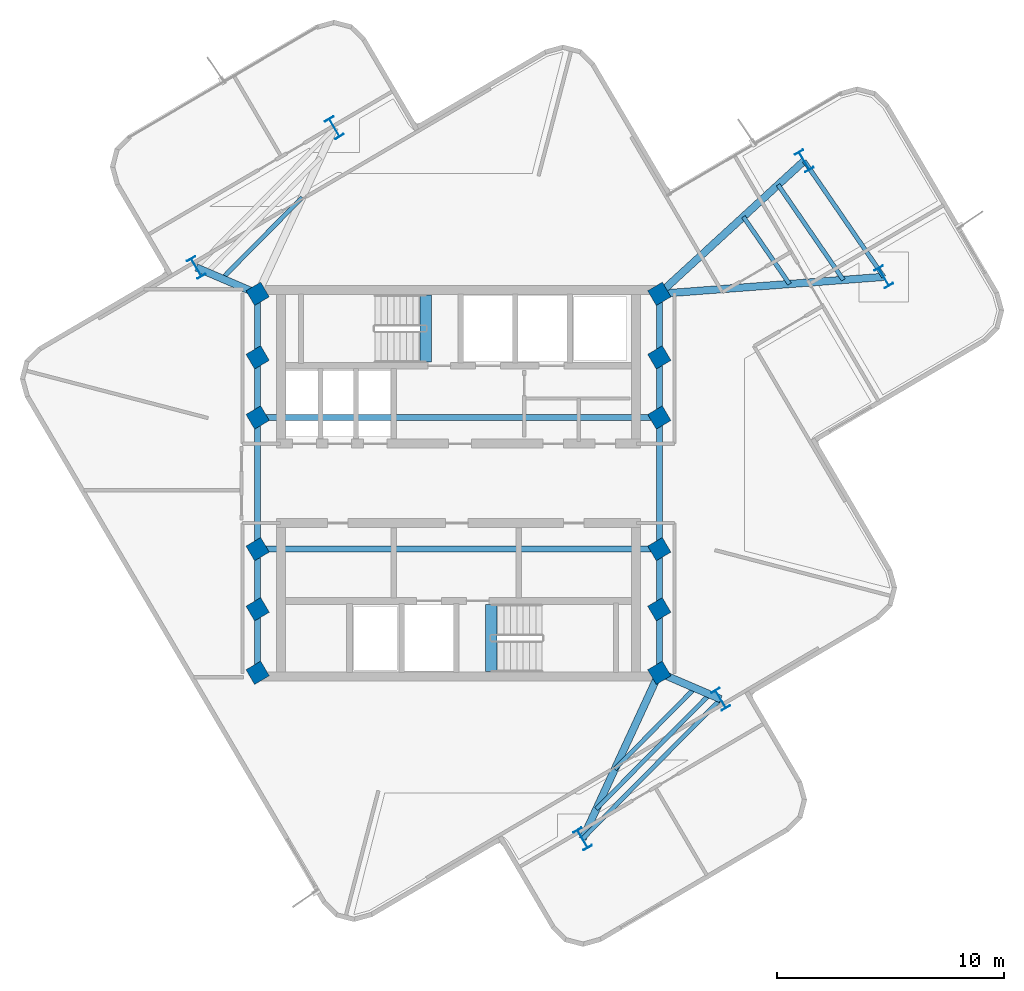
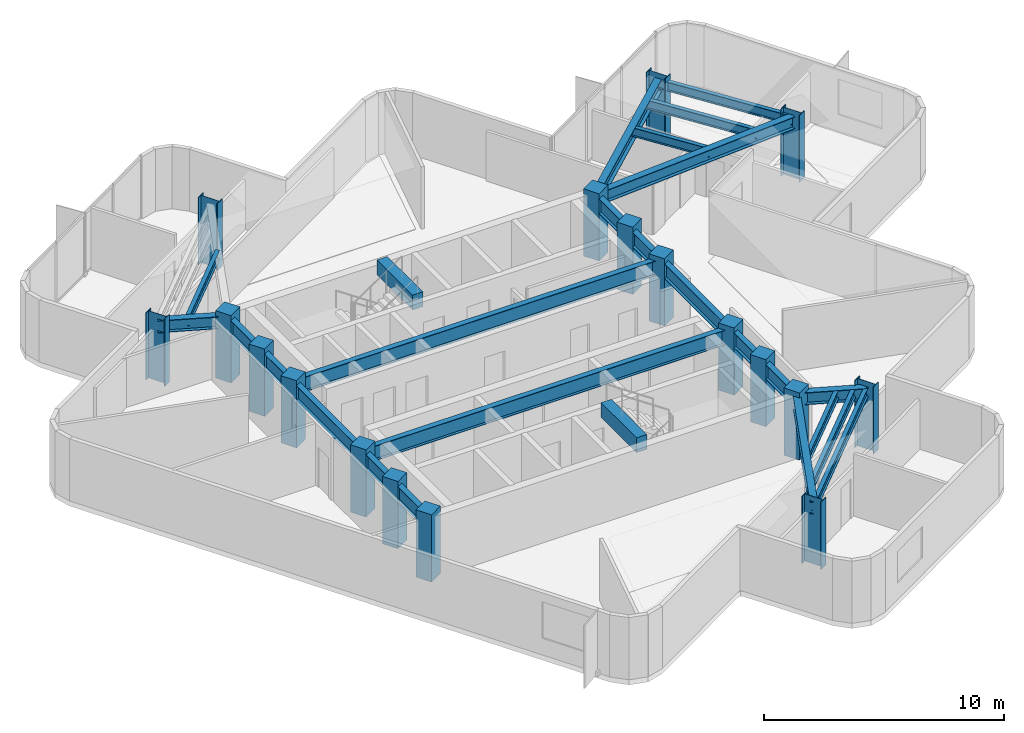
# One storey, part 1 of 8: 26 beams, 18 columns.
"""IFC4 building model written with IfcOpenShell, lengths in metres."""

from ifc_helpers import new_model, si_unit, direction, frame, origin, origin_2d, place, context, subcontext, project, spatial, rectangle, i_section, extrude, material, material_profile, profile_set, type_object, element, save


model = new_model("IFC4")

# Units and contexts
model_context = context("Model", 3, precision=1e-05, world=origin(), true_north=direction((0.0, 1.0)))
body_context = subcontext(model_context, "Body", "Model", "MODEL_VIEW")
ifc_project = project(units=[si_unit("LENGTHUNIT", "METRE"), si_unit("AREAUNIT", "SQUARE_METRE"), si_unit("VOLUMEUNIT", "CUBIC_METRE"), si_unit("PLANEANGLEUNIT", "RADIAN"), si_unit("MASSUNIT", "GRAM", prefix="KILO")], contexts=[model_context])

# Site, building, storey
site_placement = place(None, origin())
site = spatial("IfcSite", under=ifc_project, at=site_placement, CompositionType="ELEMENT")
building_placement = place(site_placement, origin())
building = spatial("IfcBuilding", under=site, at=building_placement, Name="Solmarez Civic Tower", CompositionType="ELEMENT")
storey_placement = place(building_placement, frame((0.0, 0.0, 212.0400390625)))
storey = spatial("IfcBuildingStorey", under=building, at=storey_placement, Name="L56", CompositionType="ELEMENT", Elevation=212.0400390625)

# Columns
ifc_material_1 = material(Name="Concrete C50/60", Category="concrete")
ifc_material_profile_1 = material_profile(ifc_material_1, rectangle(XDim=0.75, YDim=0.75, at=origin_2d()), Name="RC750X750")
ifc_profile_set_1 = profile_set([ifc_material_profile_1], Name="Concrete C50/60")
column_type_1 = type_object("IfcColumnType", Name="COL-RC750", PredefinedType="COLUMN", material=ifc_profile_set_1)
for number, where, z_axis, x_axis, name in (
    (1, (-8.85009765625, -5.550048828125, 0.0), (0.0, 0.0, 1.0), (0.862513669207, 0.506033764121, 0.0), "L56 Structural Column HC1"),
    (2, (-8.85009765625, -2.89990234375, 0.0), (0.0, 0.0, 1.0), (0.862513669207, 0.506033764121, 0.0), "L56 Structural Column HC2"),
    (3, (-8.85009765625, 2.89990234375, 0.0), (0.0, 0.0, 1.0), (0.862513669207, 0.506033764121, 0.0), "L56 Structural Column HC3"),
    (4, (-8.85009765625, 5.550048828125, 0.0), (0.0, 0.0, 1.0), (0.862513669207, 0.506033764121, 0.0), "L56 Structural Column HC4"),
    (5, (8.85009765625, -5.550048828125, 0.0), (0.0, 0.0, 1.0), (0.862513669207, 0.506033764121, 0.0), "L56 Structural Column HC5"),
    (6, (8.85009765625, -2.89990234375, 0.0), (0.0, 0.0, 1.0), (0.862513669207, 0.506033764121, 0.0), "L56 Structural Column HC6"),
    (7, (8.85009765625, 2.89990234375, 0.0), (0.0, 0.0, 1.0), (0.862513669207, 0.506033764121, 0.0), "L56 Structural Column HC7"),
    (8, (8.85009765625, 5.550048828125, 0.0), (0.0, 0.0, 1.0), (0.862513669207, 0.506033764121, 0.0), "L56 Structural Column HC8"),
    (9, (-8.85009765625, 8.35009765625, 0.0), (0.0, 0.0, 1.0), (0.862513669207, 0.506033764121, 0.0), "L56 Structural Column HC9"),
    (10, (8.85009765625, -8.35009765625, 0.0), (0.0, 0.0, 1.0), (0.862513669207, 0.506033764121, 0.0), "L56 Structural Column HC10"),
    (11, (8.85009765625, 8.35009765625, 0.0), (0.0, 0.0, 1.0), (0.862513669207, 0.506033764121, 0.0), "L56 Structural Column HC11"),
    (12, (-8.85009765625, -8.35009765625, 0.0), (0.0, 0.0, 1.0), (0.862513669207, 0.506033764121, 0.0), "L56 Structural Column HC12"),
):
    element("IfcColumn", number, at=place(storey_placement, frame(where, z_axis=z_axis, x_axis=x_axis)), inside=storey, type_object=column_type_1, Name=name, PredefinedType="COLUMN", context=body_context, shape_type="SweptSolid", body=[
        extrude(rectangle(XDim=0.75, YDim=0.75, at=origin_2d()), origin(), (0.0, 0.0, 1.0), 3.419921875),
    ])
ifc_material_2 = material(Name="Steel S355", Category="steel")
ifc_material_profile_2 = material_profile(ifc_material_2, i_section(OverallWidth=0.41796875, OverallDepth=0.927001953125, WebThickness=0.019287109375, FlangeThickness=0.031982421875, at=origin_2d()), Name="W36X231")
ifc_profile_set_2 = profile_set([ifc_material_profile_2], Name="Steel S355")
column_type_2 = type_object("IfcColumnType", Name="COL-W36X231", PredefinedType="COLUMN", material=ifc_profile_set_2)
for number, where, z_axis, x_axis, name in (
    (13, (18.740966796875, 9.096923828125, 0.0), (0.0, 0.0, 1.0), (0.862513669207, 0.506033764121, 0.0), "L56 Structural Column EA11"),
    (14, (15.23388671875, 14.208984375, 0.0), (0.0, 0.0, 1.0), (0.862513669207, 0.506033764121, 0.0), "L56 Structural Column EA12"),
    (15, (-5.468017578125, 15.6708984375, 0.0), (0.0, 0.0, 1.0), (0.862513669207, 0.506033764121, 0.0), "L56 Structural Column NA11"),
    (16, (-11.553955078125, 9.510009765625, 0.0), (0.0, 0.0, 1.0), (0.862513669207, 0.506033764121, 0.0), "L56 Structural Column NA12"),
    (17, (5.468017578125, -15.6708984375, 0.0), (0.0, 0.0, 1.0), (0.862513669207, 0.506033764121, 0.0), "L56 Structural Column SA11"),
    (18, (11.553955078125, -9.510009765625, 0.0), (0.0, 0.0, 1.0), (0.862513669207, 0.506033764121, 0.0), "L56 Structural Column SA12"),
):
    element("IfcColumn", number, at=place(storey_placement, frame(where, z_axis=z_axis, x_axis=x_axis)), inside=storey, type_object=column_type_2, Name=name, PredefinedType="COLUMN", context=body_context, shape_type="SweptSolid", body=[
        extrude(i_section(OverallWidth=0.41796875, OverallDepth=0.927001953125, WebThickness=0.019287109375, FlangeThickness=0.031982421875, at=origin_2d()), origin(), (0.0, 0.0, 1.0), 3.419921875),
    ])

# Beams
ifc_material_profile_3 = material_profile(ifc_material_2, i_section(OverallWidth=0.19189453125, OverallDepth=0.462890625, WebThickness=0.010498046875, FlangeThickness=0.017578125, at=origin_2d()), Name="W18X60")
ifc_profile_set_3 = profile_set([ifc_material_profile_3], Name="Steel S355")
beam_type_1 = type_object("IfcBeamType", Name="BM-JS-W18X60", PredefinedType="JOIST", material=ifc_profile_set_3)
beam_1_placement = place(storey_placement, frame((18.740966796875, 9.096923828125, 2.927978515625), z_axis=(-0.565711253315, 0.824603406416, 0.0), x_axis=(-0.824603406416, -0.565711253315, 0.0)))
element("IfcBeam", 19, at=beam_1_placement, inside=storey, type_object=beam_type_1, Name="L56 Secondary Floor Joist BM-L56-EA-T1", PredefinedType="JOIST", context=body_context, shape_type="SweptSolid", body=[
    extrude(i_section(OverallWidth=0.19189453125, OverallDepth=0.462890625, WebThickness=0.010498046875, FlangeThickness=0.017578125, at=origin_2d()), origin(), (0.0, 0.0, 1.0), 6.199462890625),
])
beam_2_placement = place(storey_placement, frame((14.5869140625, 8.782958984375, 2.927978515625), z_axis=(-0.565666897805, 0.824633834334, 0.0), x_axis=(-0.824633834334, -0.565666897805, 0.0)))
element("IfcBeam", 20, at=beam_2_placement, inside=storey, type_object=beam_type_1, Name="L56 Secondary Floor Joist JS-L56-EA-M11", PredefinedType="JOIST", context=body_context, shape_type="SweptSolid", body=[
    extrude(i_section(OverallWidth=0.19189453125, OverallDepth=0.462890625, WebThickness=0.010498046875, FlangeThickness=0.017578125, at=origin_2d()), origin(), (0.0, 0.0, 1.0), 3.595703125),
])
beam_3_placement = place(storey_placement, frame((16.9609375, 8.962890625, 2.927978515625), z_axis=(-0.565800880521, 0.824541911367, 0.0), x_axis=(-0.824541911367, -0.565800880521, 0.0)))
element("IfcBeam", 21, at=beam_3_placement, inside=storey, type_object=beam_type_1, Name="L56 Secondary Floor Joist JS-L56-EA-M12", PredefinedType="JOIST", context=body_context, shape_type="SweptSolid", body=[
    extrude(i_section(OverallWidth=0.19189453125, OverallDepth=0.462890625, WebThickness=0.010498046875, FlangeThickness=0.017578125, at=origin_2d()), origin(), (0.0, 0.0, 1.0), 5.0830078125),
])
beam_4_placement = place(storey_placement, frame((-6.887939453125, 12.595947265625, 2.927978515625), z_axis=(-0.702816380081, -0.711371306625, 0.0), x_axis=(0.711371306625, -0.702816380081, 0.0)))
element("IfcBeam", 22, at=beam_4_placement, inside=storey, type_object=beam_type_1, Name="L56 Secondary Floor Joist JS-L56-NA-M11", PredefinedType="JOIST", context=body_context, shape_type="SweptSolid", body=[
    extrude(i_section(OverallWidth=0.19189453125, OverallDepth=0.462890625, WebThickness=0.010498046875, FlangeThickness=0.017578125, at=origin_2d()), origin(), (0.0, 0.0, 1.0), 5.022705078125),
])
beam_5_placement = place(storey_placement, frame((5.468017578125, -15.6708984375, 2.927978515625), z_axis=(0.702766092364, 0.711420986072, 0.0), x_axis=(-0.711420986072, 0.702766092364, 0.0)))
element("IfcBeam", 23, at=beam_5_placement, inside=storey, type_object=beam_type_1, Name="L56 Secondary Floor Joist BM-L56-SA-T1", PredefinedType="JOIST", context=body_context, shape_type="SweptSolid", body=[
    extrude(i_section(OverallWidth=0.19189453125, OverallDepth=0.462890625, WebThickness=0.010498046875, FlangeThickness=0.017578125, at=origin_2d()), origin(), (0.0, 0.0, 1.0), 8.659912109375),
])
beam_6_placement = place(storey_placement, frame((6.887939453125, -12.595947265625, 2.927978515625), z_axis=(0.702816380081, 0.711371306625, 0.0), x_axis=(-0.711371306625, 0.702816380081, 0.0)))
element("IfcBeam", 24, at=beam_6_placement, inside=storey, type_object=beam_type_1, Name="L56 Secondary Floor Joist JS-L56-SA-M11", PredefinedType="JOIST", context=body_context, shape_type="SweptSolid", body=[
    extrude(i_section(OverallWidth=0.19189453125, OverallDepth=0.462890625, WebThickness=0.010498046875, FlangeThickness=0.017578125, at=origin_2d()), origin(), (0.0, 0.0, 1.0), 5.022705078125),
])
beam_7_placement = place(storey_placement, frame((6.076904296875, -14.35302734375, 2.927978515625), z_axis=(0.702726827997, 0.711459770622, 0.0), x_axis=(-0.711459770622, 0.702726827997, 0.0)))
element("IfcBeam", 25, at=beam_7_placement, inside=storey, type_object=beam_type_1, Name="L56 Secondary Floor Joist JS-L56-SA-M12", PredefinedType="JOIST", context=body_context, shape_type="SweptSolid", body=[
    extrude(i_section(OverallWidth=0.19189453125, OverallDepth=0.462890625, WebThickness=0.010498046875, FlangeThickness=0.017578125, at=origin_2d()), origin(), (0.0, 0.0, 1.0), 7.100830078125),
])
ifc_material_profile_4 = material_profile(ifc_material_1, rectangle(XDim=0.5, YDim=0.75, at=origin_2d()), Name="RC500X750")
ifc_profile_set_4 = profile_set([ifc_material_profile_4], Name="Concrete C50/60")
beam_type_2 = type_object("IfcBeamType", Name="BM-PR-RC500X750", PredefinedType="BEAM", material=ifc_profile_set_4)
for number, where, z_axis, x_axis, name in (
    (26, (-1.449951171875, 5.340087890625, 3.052978515625), (0.0, 1.0, 0.0), (-1.0, 0.0, 0.0), "L56 North Stair Threshold Beam"),
    (27, (1.449951171875, -8.300048828125, 3.052978515625), (0.0, 1.0, 0.0), (-1.0, 0.0, 0.0), "L56 South Stair Threshold Beam"),
):
    element("IfcBeam", number, at=place(storey_placement, frame(where, z_axis=z_axis, x_axis=x_axis)), inside=storey, type_object=beam_type_2, Name=name, PredefinedType="BEAM", context=body_context, shape_type="SweptSolid", body=[
        extrude(rectangle(XDim=0.5, YDim=0.75, at=origin_2d()), origin(), (0.0, 0.0, 1.0), 2.9599609375),
    ])
ifc_material_profile_5 = material_profile(ifc_material_2, i_section(OverallWidth=0.327880859375, OverallDepth=0.6220703125, WebThickness=0.015380859375, FlangeThickness=0.0244140625, at=origin_2d()), Name="W24X131")
ifc_profile_set_5 = profile_set([ifc_material_profile_5], Name="Steel S355")
beam_type_3 = type_object("IfcBeamType", Name="BM-PR-W24X131", PredefinedType="BEAM", material=ifc_profile_set_5)
beam_8_placement = place(storey_placement, frame((8.85009765625, 8.35009765625, 2.848876953125), z_axis=(0.997161506076, 0.075292302399, 0.0), x_axis=(-0.075292302399, 0.997161506076, 0.0)))
element("IfcBeam", 28, at=beam_8_placement, inside=storey, type_object=beam_type_3, Name="L56 Primary Floor Beam BM-L56-EA-R1A", PredefinedType="BEAM", context=body_context, shape_type="SweptSolid", body=[
    extrude(i_section(OverallWidth=0.327880859375, OverallDepth=0.6220703125, WebThickness=0.015380859375, FlangeThickness=0.0244140625, at=origin_2d()), origin(), (0.0, 0.0, 1.0), 9.9189453125),
])
beam_9_placement = place(storey_placement, frame((8.85009765625, 8.35009765625, 2.848876953125), z_axis=(0.736746995662, 0.676168517741, 0.0), x_axis=(-0.676168517741, 0.736746995662, 0.0)))
element("IfcBeam", 29, at=beam_9_placement, inside=storey, type_object=beam_type_3, Name="L56 Primary Floor Beam BM-L56-EA-R1B", PredefinedType="BEAM", context=body_context, shape_type="SweptSolid", body=[
    extrude(i_section(OverallWidth=0.327880859375, OverallDepth=0.6220703125, WebThickness=0.015380859375, FlangeThickness=0.0244140625, at=origin_2d()), origin(), (0.0, 0.0, 1.0), 8.664794921875),
])
beam_10_placement = place(storey_placement, frame((-8.85009765625, 8.35009765625, 2.848876953125), z_axis=(-0.919007627325, 0.394239750557, 0.0), x_axis=(-0.394239750557, -0.919007627325, 0.0)))
element("IfcBeam", 30, at=beam_10_placement, inside=storey, type_object=beam_type_3, Name="L56 Primary Floor Beam BM-L56-NA-R1B", PredefinedType="BEAM", context=body_context, shape_type="SweptSolid", body=[
    extrude(i_section(OverallWidth=0.327880859375, OverallDepth=0.6220703125, WebThickness=0.015380859375, FlangeThickness=0.0244140625, at=origin_2d()), origin(), (0.0, 0.0, 1.0), 2.942138671875),
])
beam_11_placement = place(storey_placement, frame((8.85009765625, -8.35009765625, 2.848876953125), z_axis=(-0.419390280967, -0.907806032273, 0.0), x_axis=(0.907806032273, -0.419390280967, 0.0)))
element("IfcBeam", 31, at=beam_11_placement, inside=storey, type_object=beam_type_3, Name="L56 Primary Floor Beam BM-L56-SA-R1A", PredefinedType="BEAM", context=body_context, shape_type="SweptSolid", body=[
    extrude(i_section(OverallWidth=0.327880859375, OverallDepth=0.6220703125, WebThickness=0.015380859375, FlangeThickness=0.0244140625, at=origin_2d()), origin(), (0.0, 0.0, 1.0), 8.064208984375),
])
beam_12_placement = place(storey_placement, frame((8.85009765625, -8.35009765625, 2.848876953125), z_axis=(0.919007627325, -0.394239750557, 0.0), x_axis=(0.394239750557, 0.919007627325, 0.0)))
element("IfcBeam", 32, at=beam_12_placement, inside=storey, type_object=beam_type_3, Name="L56 Primary Floor Beam BM-L56-SA-R1B", PredefinedType="BEAM", context=body_context, shape_type="SweptSolid", body=[
    extrude(i_section(OverallWidth=0.327880859375, OverallDepth=0.6220703125, WebThickness=0.015380859375, FlangeThickness=0.0244140625, at=origin_2d()), origin(), (0.0, 0.0, 1.0), 2.942138671875),
])
ifc_material_profile_6 = material_profile(ifc_material_2, i_section(OverallWidth=0.26708984375, OverallDepth=0.761962890625, WebThickness=0.014404296875, FlangeThickness=0.021484375, at=origin_2d()), Name="W30X116")
ifc_profile_set_6 = profile_set([ifc_material_profile_6], Name="Steel S355")
beam_type_4 = type_object("IfcBeamType", Name="BM-PR-W30X116", PredefinedType="BEAM", material=ifc_profile_set_6)
beam_13_placement = place(storey_placement, frame((-8.85009765625, -8.35009765625, 2.779052734375), z_axis=(0.0, 1.0, 0.0), x_axis=(-1.0, 0.0, 0.0)))
element("IfcBeam", 33, at=beam_13_placement, inside=storey, type_object=beam_type_4, Name="L56 Primary Floor Beam BM-L56-HC12-HC1", PredefinedType="BEAM", context=body_context, shape_type="SweptSolid", body=[
    extrude(i_section(OverallWidth=0.26708984375, OverallDepth=0.761962890625, WebThickness=0.014404296875, FlangeThickness=0.021484375, at=origin_2d()), origin(), (0.0, 0.0, 1.0), 2.800048828125),
])
beam_14_placement = place(storey_placement, frame((-8.85009765625, -5.550048828125, 2.779052734375), z_axis=(0.0, 1.0, 0.0), x_axis=(-1.0, 0.0, 0.0)))
element("IfcBeam", 34, at=beam_14_placement, inside=storey, type_object=beam_type_4, Name="L56 Primary Floor Beam BM-L56-HC1-HC2", PredefinedType="BEAM", context=body_context, shape_type="SweptSolid", body=[
    extrude(i_section(OverallWidth=0.26708984375, OverallDepth=0.761962890625, WebThickness=0.014404296875, FlangeThickness=0.021484375, at=origin_2d()), origin(), (0.0, 0.0, 1.0), 2.650146484375),
])
beam_15_placement = place(storey_placement, frame((-8.85009765625, -2.89990234375, 2.779052734375), z_axis=(0.0, 1.0, 0.0), x_axis=(-1.0, 0.0, 0.0)))
element("IfcBeam", 35, at=beam_15_placement, inside=storey, type_object=beam_type_4, Name="L56 Primary Floor Beam BM-L56-HC2-HC3", PredefinedType="BEAM", context=body_context, shape_type="SweptSolid", body=[
    extrude(i_section(OverallWidth=0.26708984375, OverallDepth=0.761962890625, WebThickness=0.014404296875, FlangeThickness=0.021484375, at=origin_2d()), origin(), (0.0, 0.0, 1.0), 5.7998046875),
])
beam_16_placement = place(storey_placement, frame((-8.85009765625, 2.89990234375, 2.779052734375), z_axis=(0.0, 1.0, 0.0), x_axis=(-1.0, 0.0, 0.0)))
element("IfcBeam", 36, at=beam_16_placement, inside=storey, type_object=beam_type_4, Name="L56 Primary Floor Beam BM-L56-HC3-HC4", PredefinedType="BEAM", context=body_context, shape_type="SweptSolid", body=[
    extrude(i_section(OverallWidth=0.26708984375, OverallDepth=0.761962890625, WebThickness=0.014404296875, FlangeThickness=0.021484375, at=origin_2d()), origin(), (0.0, 0.0, 1.0), 2.650146484375),
])
for number, where, z_axis, x_axis, name in (
    (37, (-8.85009765625, 5.550048828125, 2.779052734375), (0.0, 1.0, 0.0), (-1.0, 0.0, 0.0), "L56 Primary Floor Beam BM-L56-HC4-HC9"),
    (38, (8.85009765625, -8.35009765625, 2.779052734375), (0.0, 1.0, 0.0), (-1.0, 0.0, 0.0), "L56 Primary Floor Beam BM-L56-HC10-HC5"),
):
    element("IfcBeam", number, at=place(storey_placement, frame(where, z_axis=z_axis, x_axis=x_axis)), inside=storey, type_object=beam_type_4, Name=name, PredefinedType="BEAM", context=body_context, shape_type="SweptSolid", body=[
        extrude(i_section(OverallWidth=0.26708984375, OverallDepth=0.761962890625, WebThickness=0.014404296875, FlangeThickness=0.021484375, at=origin_2d()), origin(), (0.0, 0.0, 1.0), 2.800048828125),
    ])
beam_17_placement = place(storey_placement, frame((8.85009765625, -5.550048828125, 2.779052734375), z_axis=(0.0, 1.0, 0.0), x_axis=(-1.0, 0.0, 0.0)))
element("IfcBeam", 39, at=beam_17_placement, inside=storey, type_object=beam_type_4, Name="L56 Primary Floor Beam BM-L56-HC5-HC6", PredefinedType="BEAM", context=body_context, shape_type="SweptSolid", body=[
    extrude(i_section(OverallWidth=0.26708984375, OverallDepth=0.761962890625, WebThickness=0.014404296875, FlangeThickness=0.021484375, at=origin_2d()), origin(), (0.0, 0.0, 1.0), 2.650146484375),
])
beam_18_placement = place(storey_placement, frame((8.85009765625, -2.89990234375, 2.779052734375), z_axis=(0.0, 1.0, 0.0), x_axis=(-1.0, 0.0, 0.0)))
element("IfcBeam", 40, at=beam_18_placement, inside=storey, type_object=beam_type_4, Name="L56 Primary Floor Beam BM-L56-HC6-HC7", PredefinedType="BEAM", context=body_context, shape_type="SweptSolid", body=[
    extrude(i_section(OverallWidth=0.26708984375, OverallDepth=0.761962890625, WebThickness=0.014404296875, FlangeThickness=0.021484375, at=origin_2d()), origin(), (0.0, 0.0, 1.0), 5.7998046875),
])
beam_19_placement = place(storey_placement, frame((8.85009765625, 2.89990234375, 2.779052734375), z_axis=(0.0, 1.0, 0.0), x_axis=(-1.0, 0.0, 0.0)))
element("IfcBeam", 41, at=beam_19_placement, inside=storey, type_object=beam_type_4, Name="L56 Primary Floor Beam BM-L56-HC7-HC8", PredefinedType="BEAM", context=body_context, shape_type="SweptSolid", body=[
    extrude(i_section(OverallWidth=0.26708984375, OverallDepth=0.761962890625, WebThickness=0.014404296875, FlangeThickness=0.021484375, at=origin_2d()), origin(), (0.0, 0.0, 1.0), 2.650146484375),
])
beam_20_placement = place(storey_placement, frame((8.85009765625, 5.550048828125, 2.779052734375), z_axis=(0.0, 1.0, 0.0), x_axis=(-1.0, 0.0, 0.0)))
element("IfcBeam", 42, at=beam_20_placement, inside=storey, type_object=beam_type_4, Name="L56 Primary Floor Beam BM-L56-HC8-HC11", PredefinedType="BEAM", context=body_context, shape_type="SweptSolid", body=[
    extrude(i_section(OverallWidth=0.26708984375, OverallDepth=0.761962890625, WebThickness=0.014404296875, FlangeThickness=0.021484375, at=origin_2d()), origin(), (0.0, 0.0, 1.0), 2.800048828125),
])
for number, where, z_axis, x_axis, name in (
    (43, (-8.85009765625, -2.89990234375, 2.779052734375), (1.0, 0.0, 0.0), (0.0, 1.0, 0.0), "L56 Primary Floor Beam BM-L56-HC2-HC6"),
    (44, (-8.85009765625, 2.89990234375, 2.779052734375), (1.0, 0.0, 0.0), (0.0, 1.0, 0.0), "L56 Primary Floor Beam BM-L56-HC3-HC7"),
):
    element("IfcBeam", number, at=place(storey_placement, frame(where, z_axis=z_axis, x_axis=x_axis)), inside=storey, type_object=beam_type_4, Name=name, PredefinedType="BEAM", context=body_context, shape_type="SweptSolid", body=[
        extrude(i_section(OverallWidth=0.26708984375, OverallDepth=0.761962890625, WebThickness=0.014404296875, FlangeThickness=0.021484375, at=origin_2d()), origin(), (0.0, 0.0, 1.0), 17.7001953125),
    ])

save(model, "model.ifc")
